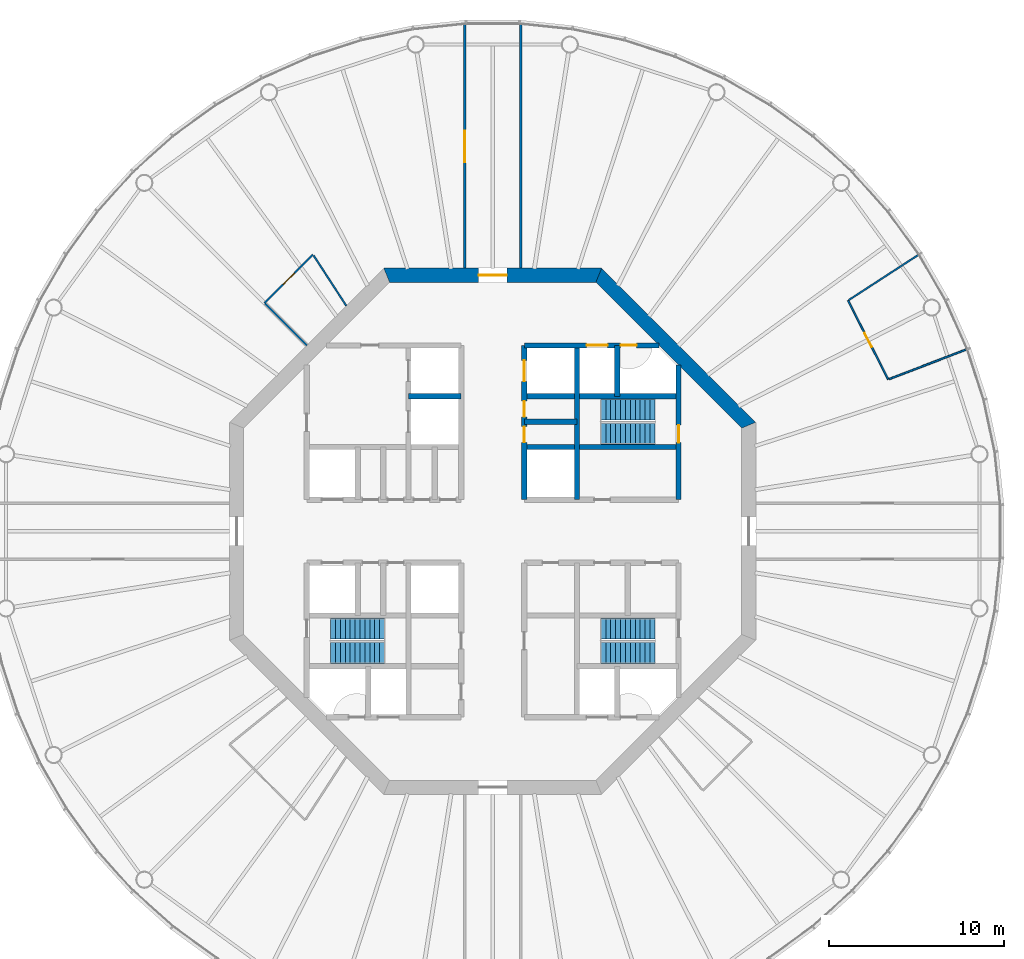
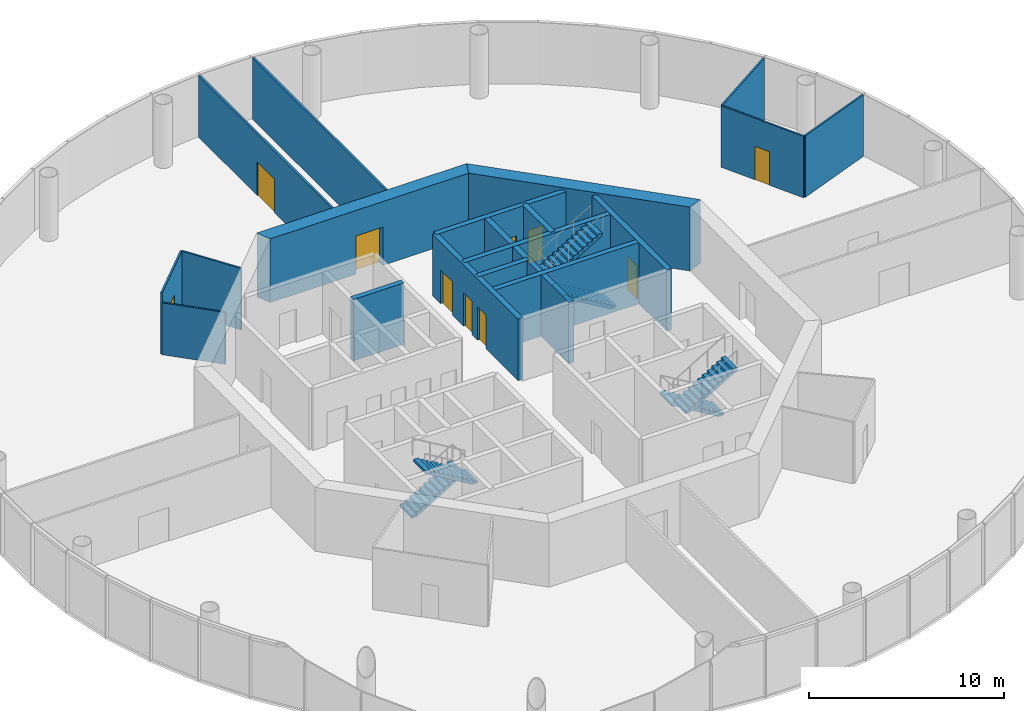
# One storey, part 5 of 12: 19 walls, 10 doors, 6 stair flights, 10 openings, 3 elements without a shape of their own.
"""IFC4 building model written with IfcOpenShell, lengths in metres."""

from ifc_helpers import new_model, si_unit, direction, frame, frame_2d, origin, place, context, subcontext, project, spatial, polyline, rectangle, outline, extrude, material, layer, layer_set, type_object, element, fill, aggregate, save


model = new_model("IFC4")

# Units and contexts
model_context = context("Model", 3, precision=1e-05, world=origin(), true_north=direction((0.0, 1.0)))
body_context = subcontext(model_context, "Body", "Model", "MODEL_VIEW")
ifc_project = project(units=[si_unit("LENGTHUNIT", "METRE"), si_unit("AREAUNIT", "SQUARE_METRE"), si_unit("VOLUMEUNIT", "CUBIC_METRE"), si_unit("PLANEANGLEUNIT", "RADIAN"), si_unit("MASSUNIT", "GRAM", prefix="KILO")], contexts=[model_context])

# Site, building, storey
site_placement = place(None, origin())
site = spatial("IfcSite", under=ifc_project, at=site_placement, CompositionType="ELEMENT")
building_placement = place(site_placement, origin())
building = spatial("IfcBuilding", under=site, at=building_placement, Name="Entoto Ring Tower", CompositionType="ELEMENT")
storey_placement = place(building_placement, frame((0.0, 0.0, 322.0)))
storey = spatial("IfcBuildingStorey", under=building, at=storey_placement, Name="L74", CompositionType="ELEMENT", Elevation=322.0)

# Wall, opening, door
ifc_material_1 = material(Name="Concrete C40/50", Category="concrete")
ifc_layer_1 = layer(ifc_material_1, 0.300048828125)
ifc_layer_set_1 = layer_set([ifc_layer_1], Name="Concrete C40/50")
wall_type_1 = type_object("IfcWallType", Name="Core enclosure wall 300 mm reinforced concrete", PredefinedType="SOLIDWALL", material=ifc_layer_set_1)
wall_1_placement = place(storey_placement, frame((100.60009765625, 81.800048828125, 0.0), z_axis=(0.0, 0.0, 1.0), x_axis=(0.0, 1.0, 0.0)))
wall_1 = element("IfcWall", 1, at=wall_1_placement, inside=storey, type_object=wall_type_1, Name="wall-L74-002", PredefinedType="SOLIDWALL", context=body_context, shape_type="SweptSolid", body=[
    extrude(rectangle(XDim=7.681640625, YDim=0.300048828125, at=frame_2d((3.8408203125, 0.0))), origin(), (0.0, 0.0, 1.0), 3.85009765625),
])
opening_1_placement = place(wall_1_placement, frame((3.25, 0.0, 0.0)))
opening_1 = element("IfcOpeningElement", 2, at=opening_1_placement, cuts=wall_1, Name="Opening K-26", PredefinedType="OPENING", context=body_context, shape_type="SweptSolid", body=[
    extrude(rectangle(XDim=1.0, YDim=2.10009765625, at=frame_2d((0.5, 1.050048828125))), frame((0.0, 0.16015625, 0.0), z_axis=(0.0, -1.0, 0.0), x_axis=(1.0, 0.0, 0.0)), (0.0, 0.0, 1.0), 0.320068359375),
])
ifc_material_2 = material(Name="Steel door leaf, fire rated", Category="steel")
ifc_layer_2 = layer(ifc_material_2, 0.050048828125)
ifc_layer_set_2 = layer_set([ifc_layer_2], Name="Steel door leaf, fire rated")
door_type_1 = type_object("IfcDoorType", Name="Fire door FD60 1000 x 2100 single leaf", OperationType="NOTDEFINED", PredefinedType="DOOR", material=ifc_layer_set_2)
door_1_placement = place(opening_1_placement, origin())
door_1 = element("IfcDoor", 3, at=door_1_placement, inside=storey, type_object=door_type_1, Name="Door K-26", OperationType="SINGLE_SWING_LEFT", OverallHeight=2.10009765625, OverallWidth=1.0, PredefinedType="DOOR", context=body_context, shape_type="SweptSolid", body=[
    extrude(rectangle(XDim=1.0, YDim=2.10009765625, at=frame_2d((0.5, 1.050048828125))), frame((0.0, 0.02490234375, 0.0), z_axis=(0.0, -1.0, 0.0), x_axis=(1.0, 0.0, 0.0)), (0.0, 0.0, 1.0), 0.050048828125),
])
fill(opening_1, door_1)

# Walls
wall_2_placement = place(storey_placement, frame((97.10009765625, 87.699951171875, 0.0), z_axis=(0.0, 0.0, 1.0), x_axis=(0.0, 1.0, 0.0)))
element("IfcWall", 4, at=wall_2_placement, inside=storey, type_object=wall_type_1, Name="wall-L74-005", PredefinedType="SOLIDWALL", context=body_context, shape_type="SweptSolid", body=[
    extrude(rectangle(XDim=2.900146484375, YDim=0.300048828125, at=frame_2d((1.4501953125, 0.0))), origin(), (0.0, 0.0, 1.0), 3.85009765625),
])
wall_3_placement = place(storey_placement, frame((94.800048828125, 81.800048828125, 0.0), z_axis=(0.0, 0.0, 1.0), x_axis=(0.0, 1.0, 0.0)))
element("IfcWall", 5, at=wall_3_placement, inside=storey, type_object=wall_type_1, Name="wall-L74-007", PredefinedType="SOLIDWALL", context=body_context, shape_type="SweptSolid", body=[
    extrude(rectangle(XDim=8.800048828125, YDim=0.300048828125, at=frame_2d((4.39990234375, 0.0))), origin(), (0.0, 0.0, 1.0), 3.85009765625),
])

# Wall, openings, doors
wall_4_placement = place(storey_placement, frame((91.800048828125, 81.800048828125, 0.0), z_axis=(0.0, 0.0, 1.0), x_axis=(0.0, 1.0, 0.0)))
wall_4 = element("IfcWall", 6, at=wall_4_placement, inside=storey, type_object=wall_type_1, Name="wall-L74-009", PredefinedType="SOLIDWALL", context=body_context, shape_type="SweptSolid", body=[
    extrude(rectangle(XDim=8.800048828125, YDim=0.300048828125, at=frame_2d((4.39990234375, 0.0))), origin(), (0.0, 0.0, 1.0), 3.85009765625),
])
opening_2_placement = place(wall_4_placement, frame((6.75, 0.0, 0.0)))
opening_2 = element("IfcOpeningElement", 7, at=opening_2_placement, cuts=wall_4, Name="Opening LD", PredefinedType="OPENING", context=body_context, shape_type="SweptSolid", body=[
    extrude(rectangle(XDim=1.199951171875, YDim=2.10009765625, at=frame_2d((0.60009765625, 1.050048828125))), frame((0.0, 0.16015625, 0.0), z_axis=(0.0, -1.0, 0.0), x_axis=(1.0, 0.0, 0.0)), (0.0, 0.0, 1.0), 0.320068359375),
])
opening_3_placement = place(wall_4_placement, frame((3.27490234375, 0.0, 0.0)))
opening_3 = element("IfcOpeningElement", 8, at=opening_3_placement, cuts=wall_4, Name="Opening K-18", PredefinedType="OPENING", context=body_context, shape_type="SweptSolid", body=[
    extrude(rectangle(XDim=0.89990234375, YDim=2.10009765625, at=frame_2d((0.449951171875, 1.050048828125))), frame((0.0, 0.16015625, 0.0), z_axis=(0.0, -1.0, 0.0), x_axis=(1.0, 0.0, 0.0)), (0.0, 0.0, 1.0), 0.320068359375),
])
opening_4_placement = place(wall_4_placement, frame((4.72509765625, 0.0, 0.0)))
opening_4 = element("IfcOpeningElement", 9, at=opening_4_placement, cuts=wall_4, Name="Opening K-19", PredefinedType="OPENING", context=body_context, shape_type="SweptSolid", body=[
    extrude(rectangle(XDim=0.89990234375, YDim=2.10009765625, at=frame_2d((0.449951171875, 1.050048828125))), frame((0.0, 0.16015625, 0.0), z_axis=(0.0, -1.0, 0.0), x_axis=(1.0, 0.0, 0.0)), (0.0, 0.0, 1.0), 0.320068359375),
])
ifc_material_3 = material(Name="Steel door leaf, fire rated", Category="steel")
ifc_layer_3 = layer(ifc_material_3, 0.050048828125)
ifc_layer_set_3 = layer_set([ifc_layer_3], Name="Steel door leaf, fire rated")
door_type_2 = type_object("IfcDoorType", Name="Core door 900 x 2100 single leaf", OperationType="NOTDEFINED", PredefinedType="DOOR", material=ifc_layer_set_3)
door_2_placement = place(opening_3_placement, frame((0.89990234375, 0.0, 0.0), z_axis=(0.0, 0.0, 1.0), x_axis=(-1.0, 0.0, 0.0)))
door_2 = element("IfcDoor", 10, at=door_2_placement, inside=storey, type_object=door_type_2, Name="Door K-18", OperationType="SINGLE_SWING_LEFT", OverallHeight=2.10009765625, OverallWidth=0.89990234375, PredefinedType="DOOR", context=body_context, shape_type="SweptSolid", body=[
    extrude(rectangle(XDim=0.89990234375, YDim=2.10009765625, at=frame_2d((0.449951171875, 1.050048828125))), frame((0.0, 0.02490234375, 0.0), z_axis=(0.0, -1.0, 0.0), x_axis=(1.0, 0.0, 0.0)), (0.0, 0.0, 1.0), 0.050048828125),
])
fill(opening_3, door_2)
door_3_placement = place(opening_4_placement, frame((0.89990234375, 0.0, 0.0), z_axis=(0.0, 0.0, 1.0), x_axis=(-1.0, 0.0, 0.0)))
door_3 = element("IfcDoor", 11, at=door_3_placement, inside=storey, type_object=door_type_2, Name="Door K-19", OperationType="SINGLE_SWING_RIGHT", OverallHeight=2.10009765625, OverallWidth=0.89990234375, PredefinedType="DOOR", context=body_context, shape_type="SweptSolid", body=[
    extrude(rectangle(XDim=0.89990234375, YDim=2.10009765625, at=frame_2d((0.449951171875, 1.050048828125))), frame((0.0, 0.02490234375, 0.0), z_axis=(0.0, -1.0, 0.0), x_axis=(1.0, 0.0, 0.0)), (0.0, 0.0, 1.0), 0.050048828125),
])
fill(opening_4, door_3)
ifc_material_4 = material(Name="Steel and glass door leaf", Category="steel")
ifc_layer_4 = layer(ifc_material_4, 0.050048828125)
ifc_layer_set_4 = layer_set([ifc_layer_4], Name="Steel and glass door leaf")
door_type_3 = type_object("IfcDoorType", Name="Landing door 1200 x 2100 sliding", OperationType="DOUBLE_DOOR_SLIDING", PredefinedType="DOOR", material=ifc_layer_set_4)
door_4_placement = place(opening_2_placement, origin())
door_4 = element("IfcDoor", 12, at=door_4_placement, inside=storey, type_object=door_type_3, Name="Landing door SH3", OperationType="SLIDING_TO_RIGHT", OverallHeight=2.10009765625, OverallWidth=1.199951171875, PredefinedType="DOOR", context=body_context, shape_type="SweptSolid", body=[
    extrude(rectangle(XDim=1.199951171875, YDim=2.10009765625, at=frame_2d((0.60009765625, 1.050048828125))), frame((0.0, 0.02490234375, 0.0), z_axis=(0.0, -1.0, 0.0), x_axis=(1.0, 0.0, 0.0)), (0.0, 0.0, 1.0), 0.050048828125),
])
fill(opening_2, door_4)

# Walls
wall_5_placement = place(storey_placement, frame((91.800048828125, 84.800048828125, 0.0), z_axis=(0.0, 0.0, 1.0), x_axis=(1.0, 0.0, 0.0)))
element("IfcWall", 13, at=wall_5_placement, inside=storey, type_object=wall_type_1, Name="wall-L74-033", PredefinedType="SOLIDWALL", context=body_context, shape_type="SweptSolid", body=[
    extrude(rectangle(XDim=8.800048828125, YDim=0.300048828125, at=frame_2d((4.39990234375, 0.0))), origin(), (0.0, 0.0, 1.0), 3.85009765625),
])
for number, where, z_axis, x_axis, name in (
    (14, (91.800048828125, 86.25, 0.0), (0.0, 0.0, 1.0), (1.0, 0.0, 0.0), "wall-L74-034"),
    (15, (85.199951171875, 87.699951171875, 0.0), (0.0, 0.0, 1.0), (1.0, 0.0, 0.0), "wall-L74-035"),
):
    element("IfcWall", number, at=place(storey_placement, frame(where, z_axis=z_axis, x_axis=x_axis)), inside=storey, type_object=wall_type_1, Name=name, PredefinedType="SOLIDWALL", context=body_context, shape_type="SweptSolid", body=[
        extrude(rectangle(XDim=3.0, YDim=0.300048828125, at=frame_2d((1.5, 0.0))), origin(), (0.0, 0.0, 1.0), 3.85009765625),
    ])
wall_6_placement = place(storey_placement, frame((91.800048828125, 87.699951171875, 0.0), z_axis=(0.0, 0.0, 1.0), x_axis=(1.0, 0.0, 0.0)))
element("IfcWall", 16, at=wall_6_placement, inside=storey, type_object=wall_type_1, Name="wall-L74-036", PredefinedType="SOLIDWALL", context=body_context, shape_type="SweptSolid", body=[
    extrude(rectangle(XDim=8.800048828125, YDim=0.300048828125, at=frame_2d((4.39990234375, 0.0))), origin(), (0.0, 0.0, 1.0), 3.85009765625),
])

# Wall, openings, doors
wall_7_placement = place(storey_placement, frame((91.800048828125, 90.60009765625, 0.0), z_axis=(0.0, 0.0, 1.0), x_axis=(1.0, 0.0, 0.0)))
wall_7 = element("IfcWall", 17, at=wall_7_placement, inside=storey, type_object=wall_type_1, Name="wall-L74-038", PredefinedType="SOLIDWALL", context=body_context, shape_type="SweptSolid", body=[
    extrude(rectangle(XDim=7.681640625, YDim=0.300048828125, at=frame_2d((3.8408203125, 0.0))), origin(), (0.0, 0.0, 1.0), 3.85009765625),
])
opening_5_placement = place(wall_7_placement, frame((3.550048828125, 0.0, 0.0)))
opening_5 = element("IfcOpeningElement", 18, at=opening_5_placement, cuts=wall_7, Name="Opening LD", PredefinedType="OPENING", context=body_context, shape_type="SweptSolid", body=[
    extrude(rectangle(XDim=1.199951171875, YDim=2.10009765625, at=frame_2d((0.60009765625, 1.050048828125))), frame((0.0, 0.16015625, 0.0), z_axis=(0.0, -1.0, 0.0), x_axis=(1.0, 0.0, 0.0)), (0.0, 0.0, 1.0), 0.320068359375),
])
opening_6_placement = place(wall_7_placement, frame((5.5, 0.0, 0.0)))
opening_6 = element("IfcOpeningElement", 19, at=opening_6_placement, cuts=wall_7, Name="Opening K-83", PredefinedType="OPENING", context=body_context, shape_type="SweptSolid", body=[
    extrude(rectangle(XDim=0.89990234375, YDim=2.10009765625, at=frame_2d((0.449951171875, 1.050048828125))), frame((0.0, 0.16015625, 0.0), z_axis=(0.0, -1.0, 0.0), x_axis=(1.0, 0.0, 0.0)), (0.0, 0.0, 1.0), 0.320068359375),
])
door_5_placement = place(opening_5_placement, origin())
door_5 = element("IfcDoor", 20, at=door_5_placement, inside=storey, type_object=door_type_3, Name="Landing door LB1-HR", OperationType="SLIDING_TO_RIGHT", OverallHeight=2.10009765625, OverallWidth=1.199951171875, PredefinedType="DOOR", context=body_context, shape_type="SweptSolid", body=[
    extrude(rectangle(XDim=1.199951171875, YDim=2.10009765625, at=frame_2d((0.60009765625, 1.050048828125))), frame((0.0, 0.02490234375, 0.0), z_axis=(0.0, -1.0, 0.0), x_axis=(1.0, 0.0, 0.0)), (0.0, 0.0, 1.0), 0.050048828125),
])
fill(opening_5, door_5)
ifc_material_5 = material(Name="Steel door leaf, fire rated", Category="steel")
ifc_layer_5 = layer(ifc_material_5, 0.050048828125)
ifc_layer_set_5 = layer_set([ifc_layer_5], Name="Steel door leaf, fire rated")
door_type_4 = type_object("IfcDoorType", Name="Riser door FD60 900 x 2100 single leaf", OperationType="NOTDEFINED", PredefinedType="DOOR", material=ifc_layer_set_5)
door_6_placement = place(opening_6_placement, frame((0.89990234375, 0.0, 0.0), z_axis=(0.0, 0.0, 1.0), x_axis=(-1.0, 0.0, 0.0)))
door_6 = element("IfcDoor", 21, at=door_6_placement, inside=storey, type_object=door_type_4, Name="Door K-83", OperationType="SINGLE_SWING_RIGHT", OverallHeight=2.10009765625, OverallWidth=0.89990234375, PredefinedType="DOOR", context=body_context, shape_type="SweptSolid", body=[
    extrude(rectangle(XDim=0.89990234375, YDim=2.10009765625, at=frame_2d((0.449951171875, 1.050048828125))), frame((0.0, 0.02490234375, 0.0), z_axis=(0.0, -1.0, 0.0), x_axis=(1.0, 0.0, 0.0)), (0.0, 0.0, 1.0), 0.050048828125),
])
fill(opening_6, door_6)

# Wall
ifc_material_6 = material(Name="Concrete C40/50", Category="concrete")
ifc_layer_6 = layer(ifc_material_6, 0.800048828125)
ifc_layer_set_6 = layer_set([ifc_layer_6], Name="Concrete C40/50")
wall_type_2 = type_object("IfcWallType", Name="Core shear wall 800 mm reinforced concrete C40/50", PredefinedType="SHEAR", material=ifc_layer_set_6)
wall_8_placement = place(storey_placement, frame((104.60009765625, 86.047607421875, 0.0), z_axis=(0.0, 0.0, 1.0), x_axis=(-0.707106781187, 0.707106781187, 0.0)))
element("IfcWall", 22, at=wall_8_placement, inside=storey, type_object=wall_type_2, Name="wall-L74-core-1", PredefinedType="SHEAR", context=body_context, shape_type="SweptSolid", body=[
    extrude(outline(polyline([(-0.165771484375, -0.39990234375), (12.2607421875, -0.39990234375), (11.92919921875, 0.39990234375), (0.165771484375, 0.39990234375), (-0.165771484375, -0.39990234375)])), origin(), (0.0, 0.0, 1.0), 4.0),
])

# Wall, opening, door
wall_9_placement = place(storey_placement, frame((96.047607421875, 94.60009765625, 0.0), z_axis=(0.0, 0.0, 1.0), x_axis=(-1.0, 0.0, 0.0)))
wall_9 = element("IfcWall", 23, at=wall_9_placement, inside=storey, type_object=wall_type_2, Name="wall-L74-core-2", PredefinedType="SHEAR", context=body_context, shape_type="SweptSolid", body=[
    extrude(outline(polyline([(-0.165771484375, -0.39990234375), (12.260986328125, -0.39990234375), (11.929443359375, 0.39990234375), (0.165771484375, 0.39990234375), (-0.165771484375, -0.39990234375)])), origin(), (0.0, 0.0, 1.0), 4.0),
])
opening_7_placement = place(wall_9_placement, frame((5.24755859375, 0.0, 0.0)))
opening_7 = element("IfcOpeningElement", 24, at=opening_7_placement, cuts=wall_9, Name="Opening K-02", PredefinedType="OPENING", context=body_context, shape_type="SweptSolid", body=[
    extrude(rectangle(XDim=1.60009765625, YDim=2.39990234375, at=frame_2d((0.800048828125, 1.199951171875))), frame((0.0, 0.41015625, 0.0), z_axis=(0.0, -1.0, 0.0), x_axis=(1.0, 0.0, 0.0)), (0.0, 0.0, 1.0), 0.820068359375),
])
ifc_material_7 = material(Name="Steel door leaf, fire rated", Category="steel")
ifc_layer_7 = layer(ifc_material_7, 0.050048828125)
ifc_layer_set_7 = layer_set([ifc_layer_7], Name="Steel door leaf, fire rated")
door_type_5 = type_object("IfcDoorType", Name="Entrance door FD60 1600 x 2400 double leaf", OperationType="DOUBLE_DOOR_SINGLE_SWING", PredefinedType="DOOR", material=ifc_layer_set_7)
door_7_placement = place(opening_7_placement, origin())
door_7 = element("IfcDoor", 25, at=door_7_placement, inside=storey, type_object=door_type_5, Name="Entrance door K-02", OperationType="DOUBLE_DOOR_SINGLE_SWING", OverallHeight=2.39990234375, OverallWidth=1.60009765625, PredefinedType="DOOR", context=body_context, shape_type="SweptSolid", body=[
    extrude(rectangle(XDim=1.60009765625, YDim=2.39990234375, at=frame_2d((0.800048828125, 1.199951171875))), frame((0.0, 0.02490234375, 0.0), z_axis=(0.0, -1.0, 0.0), x_axis=(1.0, 0.0, 0.0)), (0.0, 0.0, 1.0), 0.050048828125),
])
fill(opening_7, door_7)

ifc_material_8 = material(Name="Fire-resisting plasterboard on steel studs", Category="steel")
ifc_layer_8 = layer(ifc_material_8, 0.125)
ifc_layer_set_8 = layer_set([ifc_layer_8], Name="Fire-resisting plasterboard on steel studs")
wall_type_3 = type_object("IfcWallType", Name="Corridor wall 125 mm one-hour plasterboard on steel studs", PredefinedType="PARTITIONING", material=ifc_layer_set_8)
wall_10_placement = place(storey_placement, frame((88.39990234375, 95.0, 0.0), z_axis=(0.0, 0.0, 1.0), x_axis=(0.0, 1.0, 0.0)))
wall_10 = element("IfcWall", 26, at=wall_10_placement, inside=storey, type_object=wall_type_3, Name="partition-L74-004", PredefinedType="PARTITIONING", context=body_context, shape_type="SweptSolid", body=[
    extrude(rectangle(XDim=13.891357421875, YDim=0.125, at=frame_2d((6.94580078125, 0.0))), origin(), (0.0, 0.0, 1.0), 3.85009765625),
])
opening_8_placement = place(wall_10_placement, frame((6.045654296875, 0.0, 0.0)))
opening_8 = element("IfcOpeningElement", 27, at=opening_8_placement, cuts=wall_10, Name="Opening A32-D03", PredefinedType="OPENING", context=body_context, shape_type="SweptSolid", body=[
    extrude(rectangle(XDim=1.800048828125, YDim=2.10009765625, at=frame_2d((0.89990234375, 1.050048828125))), frame((0.0, 0.072509765625, 0.0), z_axis=(0.0, -1.0, 0.0), x_axis=(1.0, 0.0, 0.0)), (0.0, 0.0, 1.0), 0.14501953125),
])
ifc_material_9 = material(Name="Fire-resisting timber door set", Category="wood")
door_type_6 = type_object("IfcDoorType", Name="Door 1800 x 2100 double leaf FD30S fire door", OperationType="DOUBLE_DOOR_SINGLE_SWING", PredefinedType="DOOR", material=ifc_material_9)
door_8_placement = place(opening_8_placement, origin())
door_8 = element("IfcDoor", 28, at=door_8_placement, inside=storey, type_object=door_type_6, Name="Door A32-D03", OperationType="DOUBLE_DOOR_SINGLE_SWING", OverallHeight=2.10009765625, OverallWidth=1.800048828125, PredefinedType="DOOR", context=body_context, shape_type="SweptSolid", body=[
    extrude(rectangle(XDim=1.800048828125, YDim=2.10009765625, at=frame_2d((0.89990234375, 1.050048828125))), frame((0.0, 0.02490234375, 0.0), z_axis=(0.0, -1.0, 0.0), x_axis=(1.0, 0.0, 0.0)), (0.0, 0.0, 1.0), 0.050048828125),
])
fill(opening_8, door_8)

# Wall
wall_11_placement = place(storey_placement, frame((91.60009765625, 95.0, 0.0), z_axis=(0.0, 0.0, 1.0), x_axis=(0.0, 1.0, 0.0)))
element("IfcWall", 29, at=wall_11_placement, inside=storey, type_object=wall_type_3, Name="partition-L74-006", PredefinedType="PARTITIONING", context=body_context, shape_type="SweptSolid", body=[
    extrude(rectangle(XDim=13.891357421875, YDim=0.125, at=frame_2d((6.94580078125, 0.0))), origin(), (0.0, 0.0, 1.0), 3.85009765625),
])

# Wall, opening, door
ifc_material_10 = material(Name="Plasterboard on steel studs", Category="steel")
ifc_layer_9 = layer(ifc_material_10, 0.10009765625)
ifc_layer_set_9 = layer_set([ifc_layer_9], Name="Plasterboard on steel studs")
wall_type_4 = type_object("IfcWallType", Name="Partition 100 mm plasterboard on steel studs", PredefinedType="PARTITIONING", material=ifc_layer_set_9)
wall_12_placement = place(storey_placement, frame((112.555419921875, 88.658203125, 0.0), z_axis=(0.0, 0.0, 1.0), x_axis=(-0.454025703355, 0.890988586175, 0.0)))
wall_12 = element("IfcWall", 30, at=wall_12_placement, inside=storey, type_object=wall_type_4, Name="partition-L74-010", PredefinedType="PARTITIONING", context=body_context, shape_type="SweptSolid", body=[
    extrude(rectangle(XDim=5.05078125, YDim=0.10009765625, at=frame_2d((2.525390625, 0.0))), origin(), (0.0, 0.0, 1.0), 3.85009765625),
])
opening_9_placement = place(wall_12_placement, frame((2.075439453125, 0.0, 0.0)))
opening_9 = element("IfcOpeningElement", 31, at=opening_9_placement, cuts=wall_12, Name="Opening A32-D02", PredefinedType="OPENING", context=body_context, shape_type="SweptSolid", body=[
    extrude(rectangle(XDim=0.89990234375, YDim=2.10009765625, at=frame_2d((0.449951171875, 1.050048828125))), frame((0.0, 0.06005859375, 0.0), z_axis=(0.0, -1.0, 0.0), x_axis=(1.0, 0.0, 0.0)), (0.0, 0.0, 1.0), 0.1201171875),
])
ifc_material_11 = material(Name="Veneered timber door leaf in timber frame", Category="wood")
door_type_7 = type_object("IfcDoorType", Name="Door 900 x 2100 single leaf timber veneer", OperationType="NOTDEFINED", PredefinedType="DOOR", material=ifc_material_11)
door_9_placement = place(opening_9_placement, frame((0.89990234375, 0.0, 0.0), z_axis=(0.0, 0.0, 1.0), x_axis=(-1.0, 0.0, 0.0)))
door_9 = element("IfcDoor", 32, at=door_9_placement, inside=storey, type_object=door_type_7, Name="Door A32-D02", OperationType="SINGLE_SWING_LEFT", OverallHeight=2.10009765625, OverallWidth=0.89990234375, PredefinedType="DOOR", context=body_context, shape_type="SweptSolid", body=[
    extrude(rectangle(XDim=0.89990234375, YDim=2.10009765625, at=frame_2d((0.449951171875, 1.050048828125))), frame((0.0, 0.02490234375, 0.0), z_axis=(0.0, -1.0, 0.0), x_axis=(1.0, 0.0, 0.0)), (0.0, 0.0, 1.0), 0.050048828125),
])
fill(opening_9, door_9)

# Walls
for number, where, z_axis, x_axis, name in (
    (33, (112.601806640625, 88.676025390625, 0.0), (0.0, 0.0, 1.0), (0.933586170885, 0.358352984545, 0.0), "partition-L74-011"),
    (34, (110.303955078125, 93.185546875, 0.0), (0.0, 0.0, 1.0), (0.838652272687, 0.544667206207, 0.0), "partition-L74-012"),
):
    element("IfcWall", number, at=place(storey_placement, frame(where, z_axis=z_axis, x_axis=x_axis)), inside=storey, type_object=wall_type_4, Name=name, PredefinedType="PARTITIONING", context=body_context, shape_type="SweptSolid", body=[
        extrude(rectangle(XDim=4.730224609375, YDim=0.10009765625, at=frame_2d((2.365234375, 0.0))), origin(), (0.0, 0.0, 1.0), 3.85009765625),
    ])

# Wall, opening, door
wall_13_placement = place(storey_placement, frame((76.9892578125, 93.0107421875, 0.0), z_axis=(0.0, 0.0, 1.0), x_axis=(0.707106781187, 0.707106781187, 0.0)))
wall_13 = element("IfcWall", 35, at=wall_13_placement, inside=storey, type_object=wall_type_4, Name="partition-L74-018", PredefinedType="PARTITIONING", context=body_context, shape_type="SweptSolid", body=[
    extrude(rectangle(XDim=3.9111328125, YDim=0.10009765625, at=frame_2d((1.95556640625, 0.0))), origin(), (0.0, 0.0, 1.0), 3.85009765625),
])
opening_10_placement = place(wall_13_placement, frame((1.505615234375, 0.0, 0.0)))
opening_10 = element("IfcOpeningElement", 36, at=opening_10_placement, cuts=wall_13, Name="Opening A32-D04", PredefinedType="OPENING", context=body_context, shape_type="SweptSolid", body=[
    extrude(rectangle(XDim=0.89990234375, YDim=2.10009765625, at=frame_2d((0.449951171875, 1.050048828125))), frame((0.0, 0.06005859375, 0.0), z_axis=(0.0, -1.0, 0.0), x_axis=(1.0, 0.0, 0.0)), (0.0, 0.0, 1.0), 0.1201171875),
])
door_10_placement = place(opening_10_placement, frame((0.89990234375, 0.0, 0.0), z_axis=(0.0, 0.0, 1.0), x_axis=(-1.0, 0.0, 0.0)))
door_10 = element("IfcDoor", 37, at=door_10_placement, inside=storey, type_object=door_type_7, Name="Door A32-D04", OperationType="SINGLE_SWING_LEFT", OverallHeight=2.10009765625, OverallWidth=0.89990234375, PredefinedType="DOOR", context=body_context, shape_type="SweptSolid", body=[
    extrude(rectangle(XDim=0.89990234375, YDim=2.10009765625, at=frame_2d((0.449951171875, 1.050048828125))), frame((0.0, 0.02490234375, 0.0), z_axis=(0.0, -1.0, 0.0), x_axis=(1.0, 0.0, 0.0)), (0.0, 0.0, 1.0), 0.050048828125),
])
fill(opening_10, door_10)

# Walls
wall_14_placement = place(storey_placement, frame((81.64794921875, 92.861083984375, 0.0), z_axis=(0.0, 0.0, 1.0), x_axis=(-0.544643980834, 0.838667356072, 0.0)))
element("IfcWall", 38, at=wall_14_placement, inside=storey, type_object=wall_type_4, Name="partition-L74-019", PredefinedType="PARTITIONING", context=body_context, shape_type="SweptSolid", body=[
    extrude(rectangle(XDim=3.414306640625, YDim=0.10009765625, at=frame_2d((1.70703125, 0.0))), origin(), (0.0, 0.0, 1.0), 3.85009765625),
])
ifc_material_12 = material(Name="Plasterboard on steel studs", Category="steel")
ifc_layer_10 = layer(ifc_material_12, 0.10009765625)
ifc_layer_set_10 = layer_set([ifc_layer_10], Name="Plasterboard on steel studs")
wall_type_5 = type_object("IfcWallType", Name="Partition 100 mm plasterboard on steel studs, 3250 mm high", PredefinedType="PARTITIONING", material=ifc_layer_set_10)
wall_15_placement = place(storey_placement, frame((79.393310546875, 90.606689453125, 0.0), z_axis=(0.0, 0.0, 1.0), x_axis=(-0.707106781187, 0.707106781187, 0.0)))
element("IfcWall", 39, at=wall_15_placement, inside=storey, type_object=wall_type_5, Name="partition-L74-020", PredefinedType="PARTITIONING", context=body_context, shape_type="SweptSolid", body=[
    extrude(rectangle(XDim=3.349853515625, YDim=0.10009765625, at=frame_2d((1.6748046875, 0.0))), origin(), (0.0, 0.0, 1.0), 3.25),
])

# Stair, stair flights
ifc_material_13 = material(Name="Concrete C40/50", Category="concrete")
stair_type = type_object("IfcStairType", Name="Exit stair 1200 mm dog-leg reinforced concrete", PredefinedType="HALF_TURN_STAIR", material=ifc_material_13)
stair_1_placement = place(storey_placement, origin())
stair_1 = element("IfcStair", 40, at=stair_1_placement, inside=storey, type_object=stair_type, Name="Exit stair 1", PredefinedType="HALF_TURN_STAIR")
ifc_material_14 = material(Name="Concrete C40/50", Category="concrete")
stair_flight_type = type_object("IfcStairFlightType", Name="Stair flight 1200 mm reinforced concrete", PredefinedType="STRAIGHT", material=ifc_material_14)
stair_flight_1_placement = place(storey_placement, frame((99.25, 85.550048828125, 0.0), z_axis=(0.0, 0.0, 1.0), x_axis=(-1.0, 0.0, 0.0)))
stair_flight_1 = element("IfcStairFlight", 41, at=stair_flight_1_placement, type_object=stair_flight_type, Name="ST1 flight 1", NumberOfRisers=12, NumberOfTreads=11, PredefinedType="STRAIGHT", RiserHeight=0.166666667, TreadLength=0.28, context=body_context, shape_type="SweptSolid", body=[
    extrude(outline(polyline([(0.0, 0.0), (0.0, 0.166748046875), (0.280029296875, 0.166748046875), (0.280029296875, 0.333251953125), (0.56005859375, 0.333251953125), (0.56005859375, 0.5), (0.840087890625, 0.5), (0.840087890625, 0.666748046875), (1.1201171875, 0.666748046875), (1.1201171875, 0.833251953125), (1.39990234375, 0.833251953125), (1.39990234375, 1.0), (1.679931640625, 1.0), (1.679931640625, 1.166748046875), (1.9599609375, 1.166748046875), (1.9599609375, 1.333251953125), (2.239990234375, 1.333251953125), (2.239990234375, 1.5), (2.52001953125, 1.5), (2.52001953125, 1.666748046875), (2.800048828125, 1.666748046875), (2.800048828125, 1.833251953125), (3.080078125, 1.833251953125), (3.080078125, 2.0), (3.080078125, 1.658935546875), (0.29296875, 0.0), (0.0, 0.0)])), frame((0.0, 0.60009765625, 0.0), z_axis=(0.0, -1.0, 0.0), x_axis=(1.0, 0.0, 0.0)), (0.0, 0.0, 1.0), 1.199951171875),
])
stair_flight_2_placement = place(storey_placement, frame((96.169921875, 86.949951171875, 2.0), z_axis=(0.0, 0.0, 1.0), x_axis=(1.0, 0.0, 0.0)))
stair_flight_2 = element("IfcStairFlight", 42, at=stair_flight_2_placement, type_object=stair_flight_type, Name="ST1 flight 2", NumberOfRisers=12, NumberOfTreads=11, PredefinedType="STRAIGHT", RiserHeight=0.166666667, TreadLength=0.28, context=body_context, shape_type="SweptSolid", body=[
    extrude(outline(polyline([(0.0, 0.0), (0.0, 0.166748046875), (0.280029296875, 0.166748046875), (0.280029296875, 0.333251953125), (0.56005859375, 0.333251953125), (0.56005859375, 0.5), (0.840087890625, 0.5), (0.840087890625, 0.666748046875), (1.1201171875, 0.666748046875), (1.1201171875, 0.833251953125), (1.39990234375, 0.833251953125), (1.39990234375, 1.0), (1.679931640625, 1.0), (1.679931640625, 1.166748046875), (1.9599609375, 1.166748046875), (1.9599609375, 1.333251953125), (2.239990234375, 1.333251953125), (2.239990234375, 1.5), (2.52001953125, 1.5), (2.52001953125, 1.666748046875), (2.800048828125, 1.666748046875), (2.800048828125, 1.833251953125), (3.080078125, 1.833251953125), (3.080078125, 2.0), (3.080078125, 1.658935546875), (0.29296875, 0.0), (0.0, 0.0)])), frame((0.0, 0.60009765625, 0.0), z_axis=(0.0, -1.0, 0.0), x_axis=(1.0, 0.0, 0.0)), (0.0, 0.0, 1.0), 1.199951171875),
])
aggregate(stair_1, [stair_flight_1, stair_flight_2])

stair_2_placement = place(storey_placement, origin())
stair_2 = element("IfcStair", 43, at=stair_2_placement, inside=storey, type_object=stair_type, Name="Exit stair 2", PredefinedType="HALF_TURN_STAIR")
stair_flight_3_placement = place(storey_placement, frame((80.75, 74.449951171875, 0.0), z_axis=(0.0, 0.0, 1.0), x_axis=(1.0, 0.0, 0.0)))
stair_flight_3 = element("IfcStairFlight", 44, at=stair_flight_3_placement, type_object=stair_flight_type, Name="ST2 flight 1", NumberOfRisers=12, NumberOfTreads=11, PredefinedType="STRAIGHT", RiserHeight=0.166666667, TreadLength=0.28, context=body_context, shape_type="SweptSolid", body=[
    extrude(outline(polyline([(0.0, 0.0), (0.0, 0.166748046875), (0.280029296875, 0.166748046875), (0.280029296875, 0.333251953125), (0.56005859375, 0.333251953125), (0.56005859375, 0.5), (0.840087890625, 0.5), (0.840087890625, 0.666748046875), (1.1201171875, 0.666748046875), (1.1201171875, 0.833251953125), (1.39990234375, 0.833251953125), (1.39990234375, 1.0), (1.679931640625, 1.0), (1.679931640625, 1.166748046875), (1.9599609375, 1.166748046875), (1.9599609375, 1.333251953125), (2.239990234375, 1.333251953125), (2.239990234375, 1.5), (2.52001953125, 1.5), (2.52001953125, 1.666748046875), (2.800048828125, 1.666748046875), (2.800048828125, 1.833251953125), (3.080078125, 1.833251953125), (3.080078125, 2.0), (3.080078125, 1.658935546875), (0.29296875, 0.0), (0.0, 0.0)])), frame((0.0, 0.60009765625, 0.0), z_axis=(0.0, -1.0, 0.0), x_axis=(1.0, 0.0, 0.0)), (0.0, 0.0, 1.0), 1.199951171875),
])
stair_flight_4_placement = place(storey_placement, frame((83.830078125, 73.050048828125, 2.0), z_axis=(0.0, 0.0, 1.0), x_axis=(-1.0, 0.0, 0.0)))
stair_flight_4 = element("IfcStairFlight", 45, at=stair_flight_4_placement, type_object=stair_flight_type, Name="ST2 flight 2", NumberOfRisers=12, NumberOfTreads=11, PredefinedType="STRAIGHT", RiserHeight=0.166666667, TreadLength=0.28, context=body_context, shape_type="SweptSolid", body=[
    extrude(outline(polyline([(0.0, 0.0), (0.0, 0.166748046875), (0.280029296875, 0.166748046875), (0.280029296875, 0.333251953125), (0.56005859375, 0.333251953125), (0.56005859375, 0.5), (0.840087890625, 0.5), (0.840087890625, 0.666748046875), (1.1201171875, 0.666748046875), (1.1201171875, 0.833251953125), (1.39990234375, 0.833251953125), (1.39990234375, 1.0), (1.679931640625, 1.0), (1.679931640625, 1.166748046875), (1.9599609375, 1.166748046875), (1.9599609375, 1.333251953125), (2.239990234375, 1.333251953125), (2.239990234375, 1.5), (2.52001953125, 1.5), (2.52001953125, 1.666748046875), (2.800048828125, 1.666748046875), (2.800048828125, 1.833251953125), (3.080078125, 1.833251953125), (3.080078125, 2.0), (3.080078125, 1.658935546875), (0.29296875, 0.0), (0.0, 0.0)])), frame((0.0, 0.60009765625, 0.0), z_axis=(0.0, -1.0, 0.0), x_axis=(1.0, 0.0, 0.0)), (0.0, 0.0, 1.0), 1.199951171875),
])
aggregate(stair_2, [stair_flight_3, stair_flight_4])

stair_3_placement = place(storey_placement, origin())
stair_3 = element("IfcStair", 46, at=stair_3_placement, inside=storey, type_object=stair_type, Name="Exit stair 3", PredefinedType="HALF_TURN_STAIR")
stair_flight_5_placement = place(storey_placement, frame((99.25, 74.449951171875, 0.0), z_axis=(0.0, 0.0, 1.0), x_axis=(-1.0, 0.0, 0.0)))
stair_flight_5 = element("IfcStairFlight", 47, at=stair_flight_5_placement, type_object=stair_flight_type, Name="ST3 flight 1", NumberOfRisers=12, NumberOfTreads=11, PredefinedType="STRAIGHT", RiserHeight=0.166666667, TreadLength=0.28, context=body_context, shape_type="SweptSolid", body=[
    extrude(outline(polyline([(0.0, 0.0), (0.0, 0.166748046875), (0.280029296875, 0.166748046875), (0.280029296875, 0.333251953125), (0.56005859375, 0.333251953125), (0.56005859375, 0.5), (0.840087890625, 0.5), (0.840087890625, 0.666748046875), (1.1201171875, 0.666748046875), (1.1201171875, 0.833251953125), (1.39990234375, 0.833251953125), (1.39990234375, 1.0), (1.679931640625, 1.0), (1.679931640625, 1.166748046875), (1.9599609375, 1.166748046875), (1.9599609375, 1.333251953125), (2.239990234375, 1.333251953125), (2.239990234375, 1.5), (2.52001953125, 1.5), (2.52001953125, 1.666748046875), (2.800048828125, 1.666748046875), (2.800048828125, 1.833251953125), (3.080078125, 1.833251953125), (3.080078125, 2.0), (3.080078125, 1.658935546875), (0.29296875, 0.0), (0.0, 0.0)])), frame((0.0, 0.60009765625, 0.0), z_axis=(0.0, -1.0, 0.0), x_axis=(1.0, 0.0, 0.0)), (0.0, 0.0, 1.0), 1.199951171875),
])
stair_flight_6_placement = place(storey_placement, frame((96.169921875, 73.050048828125, 2.0), z_axis=(0.0, 0.0, 1.0), x_axis=(1.0, 0.0, 0.0)))
stair_flight_6 = element("IfcStairFlight", 48, at=stair_flight_6_placement, type_object=stair_flight_type, Name="ST3 flight 2", NumberOfRisers=12, NumberOfTreads=11, PredefinedType="STRAIGHT", RiserHeight=0.166666667, TreadLength=0.28, context=body_context, shape_type="SweptSolid", body=[
    extrude(outline(polyline([(0.0, 0.0), (0.0, 0.166748046875), (0.280029296875, 0.166748046875), (0.280029296875, 0.333251953125), (0.56005859375, 0.333251953125), (0.56005859375, 0.5), (0.840087890625, 0.5), (0.840087890625, 0.666748046875), (1.1201171875, 0.666748046875), (1.1201171875, 0.833251953125), (1.39990234375, 0.833251953125), (1.39990234375, 1.0), (1.679931640625, 1.0), (1.679931640625, 1.166748046875), (1.9599609375, 1.166748046875), (1.9599609375, 1.333251953125), (2.239990234375, 1.333251953125), (2.239990234375, 1.5), (2.52001953125, 1.5), (2.52001953125, 1.666748046875), (2.800048828125, 1.666748046875), (2.800048828125, 1.833251953125), (3.080078125, 1.833251953125), (3.080078125, 2.0), (3.080078125, 1.658935546875), (0.29296875, 0.0), (0.0, 0.0)])), frame((0.0, 0.60009765625, 0.0), z_axis=(0.0, -1.0, 0.0), x_axis=(1.0, 0.0, 0.0)), (0.0, 0.0, 1.0), 1.199951171875),
])
aggregate(stair_3, [stair_flight_5, stair_flight_6])

save(model, "model.ifc")
